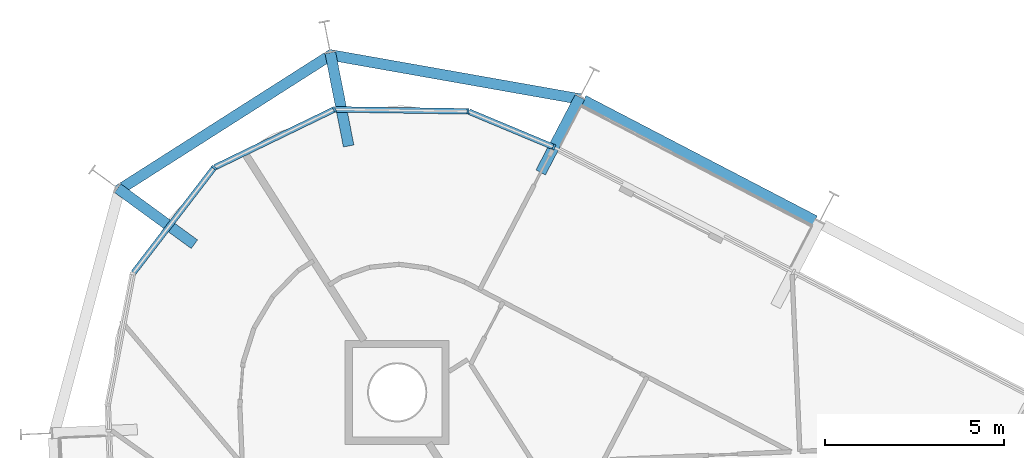
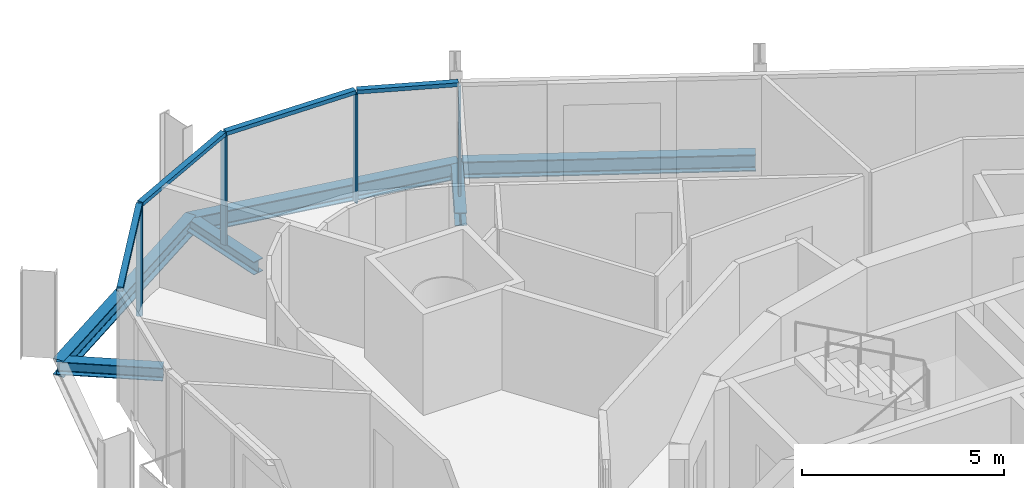
# One storey, part 8 of 18: 8 members, 6 beams, 1 element without a shape of its own.
"""IFC4 building model written with IfcOpenShell, lengths in metres."""

from ifc_helpers import new_model, si_unit, direction, frame, origin, origin_2d, place, context, subcontext, project, spatial, rectangle, i_section, extrude, material, layer, layer_set, material_profile, profile_set, type_object, element, aggregate, save


model = new_model("IFC4")

# Units and contexts
model_context = context("Model", 3, precision=1e-05, world=origin(), true_north=direction((0.0, 1.0)))
body_context = subcontext(model_context, "Body", "Model", "MODEL_VIEW")
ifc_project = project(units=[si_unit("LENGTHUNIT", "METRE"), si_unit("AREAUNIT", "SQUARE_METRE"), si_unit("VOLUMEUNIT", "CUBIC_METRE"), si_unit("PLANEANGLEUNIT", "RADIAN"), si_unit("MASSUNIT", "GRAM", prefix="KILO")], contexts=[model_context])

# Site, building, storey
site_placement = place(None, origin())
site = spatial("IfcSite", under=ifc_project, at=site_placement, CompositionType="ELEMENT")
building_placement = place(site_placement, origin())
building = spatial("IfcBuilding", under=site, at=building_placement, Name="Spindle Arch Residences", CompositionType="ELEMENT")
storey_placement = place(building_placement, frame((0.0, 0.0, 254.699951171875)))
storey = spatial("IfcBuildingStorey", under=building, at=storey_placement, Name="L65", CompositionType="ELEMENT", Elevation=254.699951171875)

# Curtain wall, members
ifc_material_1 = material(Name="Aluminium bronze unitised frame with tinted glass", Category="aluminium")
ifc_layer = layer(ifc_material_1, 0.159912109375)
ifc_layer_set = layer_set([ifc_layer], Name="CW-D corner wall on the fillet arcs")
curtain_wall_type = type_object("IfcCurtainWallType", Name="CW-D corner wall on the fillet arcs", PredefinedType="NOTDEFINED", material=ifc_layer_set)
curtain_wall_placement = place(storey_placement, origin())
curtain_wall = element("IfcCurtainWall", 1, at=curtain_wall_placement, inside=storey, type_object=curtain_wall_type, Name="CW-D L65 run 3", PredefinedType="NOTDEFINED")
ifc_material_2 = material(Name="Aluminium bronze anodised mullion", Category="aluminium")
ifc_material_profile_1 = material_profile(ifc_material_2, rectangle(XDim=0.159912109375, YDim=0.06005859375, at=origin_2d()), Name="MU 60x160")
ifc_profile_set_1 = profile_set([ifc_material_profile_1], Name="Aluminium bronze anodised mullion")
member_type_1 = type_object("IfcMemberType", Name="Bronze mullion 60x160", PredefinedType="MULLION", material=ifc_profile_set_1)
member_1_placement = place(storey_placement, frame((-6.19970703125, 23.423828125, -0.3798828125), z_axis=(0.0, 0.0, 1.0), x_axis=(-0.385552013734, -0.92268610302, 0.0)))
member_1 = element("IfcMember", 2, at=member_1_placement, type_object=member_type_1, Name="CW-D mullion 00", PredefinedType="MULLION", context=body_context, shape_type="SweptSolid", body=[
    extrude(rectangle(XDim=0.159912109375, YDim=0.06005859375, at=origin_2d()), origin(), (0.0, 0.0, 1.0), 3.309814453125),
])
member_2_placement = place(storey_placement, frame((-8.590576171875, 24.422607421875, -0.3798828125), z_axis=(0.0, 0.0, 1.0), x_axis=(-0.014543896145, -0.999894231949, 0.0)))
member_2 = element("IfcMember", 3, at=member_2_placement, type_object=member_type_1, Name="CW-D mullion 01", PredefinedType="MULLION", context=body_context, shape_type="SweptSolid", body=[
    extrude(rectangle(XDim=0.159912109375, YDim=0.06005859375, at=origin_2d()), origin(), (0.0, 0.0, 1.0), 3.309814453125),
])
member_3_placement = place(storey_placement, frame((-12.31689453125, 24.476806640625, -0.3798828125), z_axis=(0.0, 0.0, 1.0), x_axis=(0.435754815677, -0.900065409075, 0.0)))
member_3 = element("IfcMember", 4, at=member_3_placement, type_object=member_type_1, Name="CW-D mullion 02", PredefinedType="MULLION", context=body_context, shape_type="SweptSolid", body=[
    extrude(rectangle(XDim=0.159912109375, YDim=0.06005859375, at=origin_2d()), origin(), (0.0, 0.0, 1.0), 3.309814453125),
])
member_4_placement = place(storey_placement, frame((-15.671142578125, 22.85302734375, -0.3798828125), z_axis=(0.0, 0.0, 1.0), x_axis=(0.793353344679, -0.60876142329, 0.0)))
member_4 = element("IfcMember", 5, at=member_4_placement, type_object=member_type_1, Name="CW-D mullion 03", PredefinedType="MULLION", context=body_context, shape_type="SweptSolid", body=[
    extrude(rectangle(XDim=0.159912109375, YDim=0.06005859375, at=origin_2d()), origin(), (0.0, 0.0, 1.0), 3.309814453125),
])
ifc_material_3 = material(Name="Aluminium bronze anodised transom", Category="aluminium")
ifc_material_profile_2 = material_profile(ifc_material_3, rectangle(XDim=0.159912109375, YDim=0.1201171875, at=origin_2d()), Name="TR 120x160")
ifc_profile_set_2 = profile_set([ifc_material_profile_2], Name="Aluminium bronze anodised transom")
member_type_2 = type_object("IfcMemberType", Name="Bronze transom 120x160", PredefinedType="USERDEFINED", material=ifc_profile_set_2)
member_5_placement = place(storey_placement, frame((-6.2275390625, 23.435302734375, 2.989990234375), z_axis=(-0.922679730335, 0.385567264208, 0.0), x_axis=(-0.385567264208, -0.922679730335, 0.0)))
member_5 = element("IfcMember", 6, at=member_5_placement, type_object=member_type_2, Name="CW-D transom 00", ObjectType="TRANSOM", PredefinedType="USERDEFINED", context=body_context, shape_type="SweptSolid", body=[
    extrude(rectangle(XDim=0.159912109375, YDim=0.1201171875, at=origin_2d()), origin(), (0.0, 0.0, 1.0), 2.531005859375),
])
member_6_placement = place(storey_placement, frame((-8.620361328125, 24.423095703125, 2.989990234375), z_axis=(-0.999893692287, 0.014580950766, 0.0), x_axis=(-0.014580950766, -0.999893692287, 0.0)))
member_6 = element("IfcMember", 7, at=member_6_placement, type_object=member_type_2, Name="CW-D transom 01", ObjectType="TRANSOM", PredefinedType="USERDEFINED", context=body_context, shape_type="SweptSolid", body=[
    extrude(rectangle(XDim=0.159912109375, YDim=0.1201171875, at=origin_2d()), origin(), (0.0, 0.0, 1.0), 3.6669921875),
])
member_7_placement = place(storey_placement, frame((-12.34375, 24.4638671875, 2.989990234375), z_axis=(-0.900053962869, -0.435778457388, 0.0), x_axis=(0.435778457388, -0.900053962869, 0.0)))
member_7 = element("IfcMember", 8, at=member_7_placement, type_object=member_type_2, Name="CW-D transom 02", ObjectType="TRANSOM", PredefinedType="USERDEFINED", context=body_context, shape_type="SweptSolid", body=[
    extrude(rectangle(XDim=0.159912109375, YDim=0.1201171875, at=origin_2d()), origin(), (0.0, 0.0, 1.0), 3.666748046875),
])
member_8_placement = place(storey_placement, frame((-15.689453125, 22.8291015625, 2.989990234375), z_axis=(-0.608773956943, -0.793343727112, 0.0), x_axis=(0.793343727112, -0.608773956943, 0.0)))
member_8 = element("IfcMember", 9, at=member_8_placement, type_object=member_type_2, Name="CW-D transom 03", ObjectType="TRANSOM", PredefinedType="USERDEFINED", context=body_context, shape_type="SweptSolid", body=[
    extrude(rectangle(XDim=0.159912109375, YDim=0.1201171875, at=origin_2d()), origin(), (0.0, 0.0, 1.0), 3.666748046875),
])
aggregate(curtain_wall, [member_1, member_5, member_2, member_6, member_3, member_7, member_4, member_8])

# Beams
ifc_material_4 = material(Name="Steel S460ML, intumescent coating R 120", Category="steel")
ifc_material_profile_3 = material_profile(ifc_material_4, i_section(OverallWidth=0.300048828125, OverallDepth=0.5, WebThickness=0.014404296875, FlangeThickness=0.028076171875, FilletRadius=0.027099609375, at=origin_2d()), Name="HEB 500")
ifc_profile_set_3 = profile_set([ifc_material_profile_3], Name="Steel S460ML, intumescent coating R 120")
beam_type_1 = type_object("IfcBeamType", Name="Exoskeleton edge beam HEB 500", PredefinedType="BEAM", material=ifc_profile_set_3)
beam_1_placement = place(storey_placement, frame((1.0751953125, 21.372802734375, -0.6298828125), z_axis=(-0.887007222688, 0.461755548857, 0.0), x_axis=(-0.461755548857, -0.887007222688, 0.0)))
element("IfcBeam", 10, at=beam_1_placement, inside=storey, type_object=beam_type_1, Name="Exoskeleton edge beam 9", PredefinedType="BEAM", context=body_context, shape_type="SweptSolid", body=[
    extrude(i_section(OverallWidth=0.300048828125, OverallDepth=0.5, WebThickness=0.014404296875, FlangeThickness=0.028076171875, FilletRadius=0.027099609375, at=origin_2d()), origin(), (0.0, 0.0, 1.0), 7.27001953125),
])
beam_2_placement = place(storey_placement, frame((-5.46337890625, 24.762939453125, -0.6298828125), z_axis=(-0.984720537274, 0.174142078404, 0.0), x_axis=(-0.174142078404, -0.984720537274, 0.0)))
element("IfcBeam", 11, at=beam_2_placement, inside=storey, type_object=beam_type_1, Name="Exoskeleton edge beam 10", PredefinedType="BEAM", context=body_context, shape_type="SweptSolid", body=[
    extrude(i_section(OverallWidth=0.300048828125, OverallDepth=0.5, WebThickness=0.014404296875, FlangeThickness=0.028076171875, FilletRadius=0.027099609375, at=origin_2d()), origin(), (0.0, 0.0, 1.0), 7.105224609375),
])
beam_3_placement = place(storey_placement, frame((-12.371337890625, 26.0234375, -0.6298828125), z_axis=(-0.843392249939, -0.537298346119, 0.0), x_axis=(0.537298346119, -0.843392249939, 0.0)))
element("IfcBeam", 12, at=beam_3_placement, inside=storey, type_object=beam_type_1, Name="Exoskeleton edge beam 11", PredefinedType="BEAM", context=body_context, shape_type="SweptSolid", body=[
    extrude(i_section(OverallWidth=0.300048828125, OverallDepth=0.5, WebThickness=0.014404296875, FlangeThickness=0.028076171875, FilletRadius=0.027099609375, at=origin_2d()), origin(), (0.0, 0.0, 1.0), 7.09716796875),
])
ifc_material_5 = material(Name="Steel S460ML, intumescent coating R 120", Category="steel")
ifc_material_profile_4 = material_profile(ifc_material_5, i_section(OverallWidth=0.300048828125, OverallDepth=0.389892578125, WebThickness=0.010986328125, FlangeThickness=0.01904296875, FilletRadius=0.027099609375, at=origin_2d()), Name="HEA 400")
ifc_profile_set_4 = profile_set([ifc_material_profile_4], Name="Steel S460ML, intumescent coating R 120")
beam_type_2 = type_object("IfcBeamType", Name="Floor outrigger HEA 400", PredefinedType="BEAM", material=ifc_profile_set_4)
beam_4_placement = place(storey_placement, frame((-5.474853515625, 24.81640625, -0.574951171875), z_axis=(-0.46171971426, -0.887025876434, 0.0), x_axis=(0.887025876434, -0.46171971426, 0.0)))
element("IfcBeam", 13, at=beam_4_placement, inside=storey, type_object=beam_type_2, Name="Floor outrigger 10", PredefinedType="BEAM", context=body_context, shape_type="SweptSolid", body=[
    extrude(i_section(OverallWidth=0.300048828125, OverallDepth=0.389892578125, WebThickness=0.010986328125, FlangeThickness=0.01904296875, FilletRadius=0.027099609375, at=origin_2d()), origin(), (0.0, 0.0, 1.0), 2.36669921875),
])
beam_5_placement = place(storey_placement, frame((-12.4326171875, 26.056640625, -0.574951171875), z_axis=(0.193191977973, -0.981160975399, 0.0), x_axis=(0.981160975399, 0.193191977973, 0.0)))
element("IfcBeam", 14, at=beam_5_placement, inside=storey, type_object=beam_type_2, Name="Floor outrigger 11", PredefinedType="BEAM", context=body_context, shape_type="SweptSolid", body=[
    extrude(i_section(OverallWidth=0.300048828125, OverallDepth=0.389892578125, WebThickness=0.010986328125, FlangeThickness=0.01904296875, FilletRadius=0.027099609375, at=origin_2d()), origin(), (0.0, 0.0, 1.0), 2.64990234375),
])
beam_6_placement = place(storey_placement, frame((-18.361083984375, 22.27978515625, -0.574951171875), z_axis=(0.807563254959, -0.589780967174, 0.0), x_axis=(0.589780967174, 0.807563254959, 0.0)))
element("IfcBeam", 15, at=beam_6_placement, inside=storey, type_object=beam_type_2, Name="Floor outrigger 12", PredefinedType="BEAM", context=body_context, shape_type="SweptSolid", body=[
    extrude(i_section(OverallWidth=0.300048828125, OverallDepth=0.389892578125, WebThickness=0.010986328125, FlangeThickness=0.01904296875, FilletRadius=0.027099609375, at=origin_2d()), origin(), (0.0, 0.0, 1.0), 2.650146484375),
])

save(model, "model.ifc")
